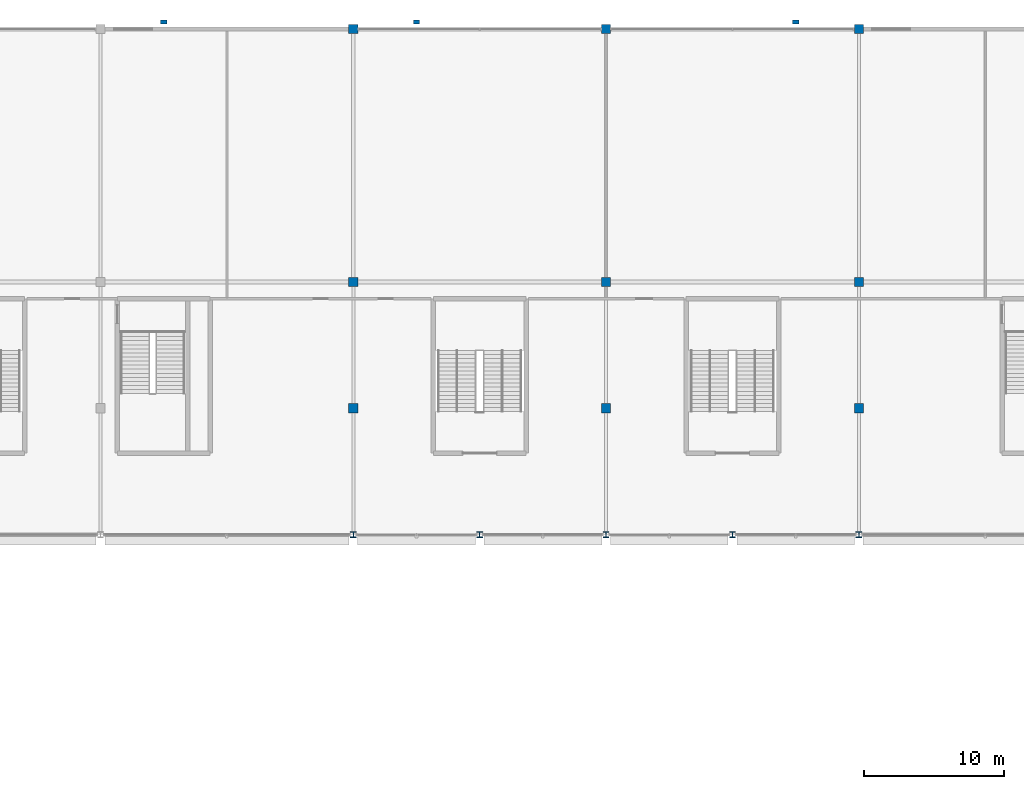
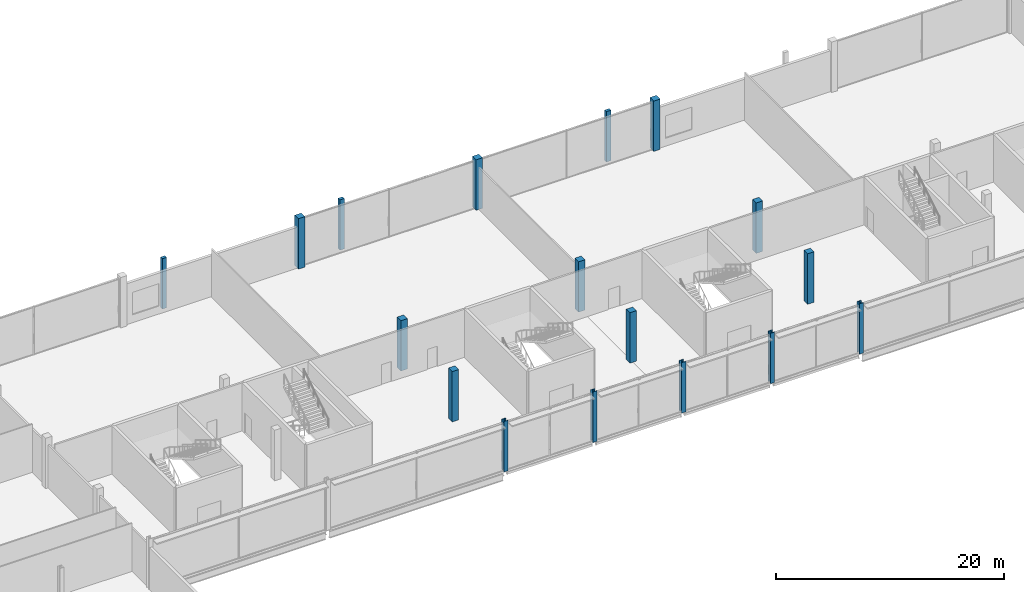
# One storey, part 6 of 111: 17 columns.
"""IFC4 building model written with IfcOpenShell, lengths in metres."""

from ifc_helpers import new_model, si_unit, direction, frame, origin, origin_2d, place, context, subcontext, project, spatial, rectangle, i_section, extrude, material, material_profile, profile_set, type_object, element, save


model = new_model("IFC4")

# Units and contexts
model_context = context("Model", 3, precision=1e-05, world=origin(), true_north=direction((0.0, 1.0)))
body_context = subcontext(model_context, "Body", "Model", "MODEL_VIEW")
ifc_project = project(units=[si_unit("LENGTHUNIT", "METRE"), si_unit("AREAUNIT", "SQUARE_METRE"), si_unit("VOLUMEUNIT", "CUBIC_METRE"), si_unit("PLANEANGLEUNIT", "RADIAN"), si_unit("MASSUNIT", "GRAM", prefix="KILO")], contexts=[model_context])

# Site, building, storey
site_placement = place(None, origin())
site = spatial("IfcSite", under=ifc_project, at=site_placement, CompositionType="ELEMENT")
building_placement = place(site_placement, origin())
building = spatial("IfcBuilding", under=site, at=building_placement, Name="Kisiwana Market Hall", CompositionType="ELEMENT")
storey_placement = place(building_placement, frame((0.0, 0.0, 11.39990234375)))
storey = spatial("IfcBuildingStorey", under=building, at=storey_placement, Name="L02", CompositionType="ELEMENT", Elevation=11.39990234375)

# Columns
ifc_material_1 = material(Name="Concrete C40/50", Category="concrete")
ifc_material_profile_1 = material_profile(ifc_material_1, rectangle(XDim=0.64990234375, YDim=0.64990234375, at=origin_2d()), Name="RC 650x650")
ifc_profile_set_1 = profile_set([ifc_material_profile_1], Name="Concrete C40/50")
column_type_1 = type_object("IfcColumnType", Name="COL-RC-POD-650", PredefinedType="COLUMN", material=ifc_profile_set_1)
for number, where, z_axis, x_axis, name in (
    (1, (81.0, 93.0, 0.0), (0.0, 0.0, 1.0), (1.0, 0.0, 0.0), "Column M/10 (L02) C-0568"),
    (2, (81.0, 102.0, 0.0), (0.0, 0.0, 1.0), (1.0, 0.0, 0.0), "Column N/10 (L02) C-0569"),
    (3, (81.0, 120.0, 0.0), (0.0, 0.0, 1.0), (1.0, 0.0, 0.0), "Column Q/10 (L02) C-0570"),
    (4, (99.0, 93.0, 0.0), (0.0, 0.0, 1.0), (1.0, 0.0, 0.0), "Column M/12 (L02) C-0578"),
    (5, (99.0, 102.0, 0.0), (0.0, 0.0, 1.0), (1.0, 0.0, 0.0), "Column N/12 (L02) C-0579"),
    (6, (99.0, 120.0, 0.0), (0.0, 0.0, 1.0), (1.0, 0.0, 0.0), "Column Q/12 (L02) C-0580"),
    (7, (117.0, 93.0, 0.0), (0.0, 0.0, 1.0), (1.0, 0.0, 0.0), "Column M/14 (L02) C-0588"),
    (8, (117.0, 102.0, 0.0), (0.0, 0.0, 1.0), (1.0, 0.0, 0.0), "Column N/14 (L02) C-0589"),
    (9, (117.0, 120.0, 0.0), (0.0, 0.0, 1.0), (1.0, 0.0, 0.0), "Column Q/14 (L02) C-0590"),
):
    element("IfcColumn", number, at=place(storey_placement, frame(where, z_axis=z_axis, x_axis=x_axis)), inside=storey, type_object=column_type_1, Name=name, PredefinedType="COLUMN", context=body_context, shape_type="SweptSolid", body=[
        extrude(rectangle(XDim=0.64990234375, YDim=0.64990234375, at=origin_2d()), origin(), (0.0, 0.0, 1.0), 5.400146484375),
    ])
ifc_material_2 = material(Name="Steel S355", Category="steel")
ifc_material_profile_2 = material_profile(ifc_material_2, i_section(OverallWidth=0.412109375, OverallDepth=0.43505859375, WebThickness=0.035888671875, FlangeThickness=0.05810546875, at=origin_2d()), Name="HD 400x463")
ifc_profile_set_2 = profile_set([ifc_material_profile_2], Name="Steel S355")
column_type_2 = type_object("IfcColumnType", Name="COL-STL-HD463", PredefinedType="COLUMN", material=ifc_profile_set_2)
for number, where, z_axis, x_axis, name in (
    (10, (81.0, 84.0, 0.0), (0.0, 0.0, 1.0), (1.0, 0.0, 0.0), "Column L/10 (L02) C-0567"),
    (11, (90.0, 84.0, 0.0), (0.0, 0.0, 1.0), (1.0, 0.0, 0.0), "Column L/11 (L02) C-0572"),
    (12, (99.0, 84.0, 0.0), (0.0, 0.0, 1.0), (1.0, 0.0, 0.0), "Column L/12 (L02) C-0577"),
    (13, (108.0, 84.0, 0.0), (0.0, 0.0, 1.0), (1.0, 0.0, 0.0), "Column L/13 (L02) C-0582"),
    (14, (117.0, 84.0, 0.0), (0.0, 0.0, 1.0), (1.0, 0.0, 0.0), "Column L/14 (L02) C-0587"),
):
    element("IfcColumn", number, at=place(storey_placement, frame(where, z_axis=z_axis, x_axis=x_axis)), inside=storey, type_object=column_type_2, Name=name, PredefinedType="COLUMN", context=body_context, shape_type="SweptSolid", body=[
        extrude(i_section(OverallWidth=0.412109375, OverallDepth=0.43505859375, WebThickness=0.035888671875, FlangeThickness=0.05810546875, at=origin_2d()), origin(), (0.0, 0.0, 1.0), 5.400146484375),
    ])
ifc_material_3 = material(Name="Concrete C40/50", Category="concrete")
ifc_material_profile_3 = material_profile(ifc_material_3, rectangle(XDim=0.449951171875, YDim=0.300048828125, at=origin_2d()), Name="PIL 450x300")
ifc_profile_set_3 = profile_set([ifc_material_profile_3], Name="Concrete C40/50")
column_type_3 = type_object("IfcColumnType", Name="PIL-CONC-450", PredefinedType="PILASTER", material=ifc_profile_set_3)
for number, where, z_axis, x_axis, name in (
    (15, (67.5, 120.5, 0.0), (0.0, 0.0, 1.0), (1.0, 0.0, 0.0), "Facade pilaster Q/8 (L02) C-0651"),
    (16, (85.5, 120.5, 0.0), (0.0, 0.0, 1.0), (1.0, 0.0, 0.0), "Facade pilaster Q/10 (L02) C-0652"),
    (17, (112.5, 120.5, 0.0), (0.0, 0.0, 1.0), (1.0, 0.0, 0.0), "Facade pilaster Q/13 (L02) C-0653"),
):
    element("IfcColumn", number, at=place(storey_placement, frame(where, z_axis=z_axis, x_axis=x_axis)), inside=storey, type_object=column_type_3, Name=name, PredefinedType="PILASTER", context=body_context, shape_type="SweptSolid", body=[
        extrude(rectangle(XDim=0.449951171875, YDim=0.300048828125, at=origin_2d()), origin(), (0.0, 0.0, 1.0), 5.400146484375),
    ])

save(model, "model.ifc")
